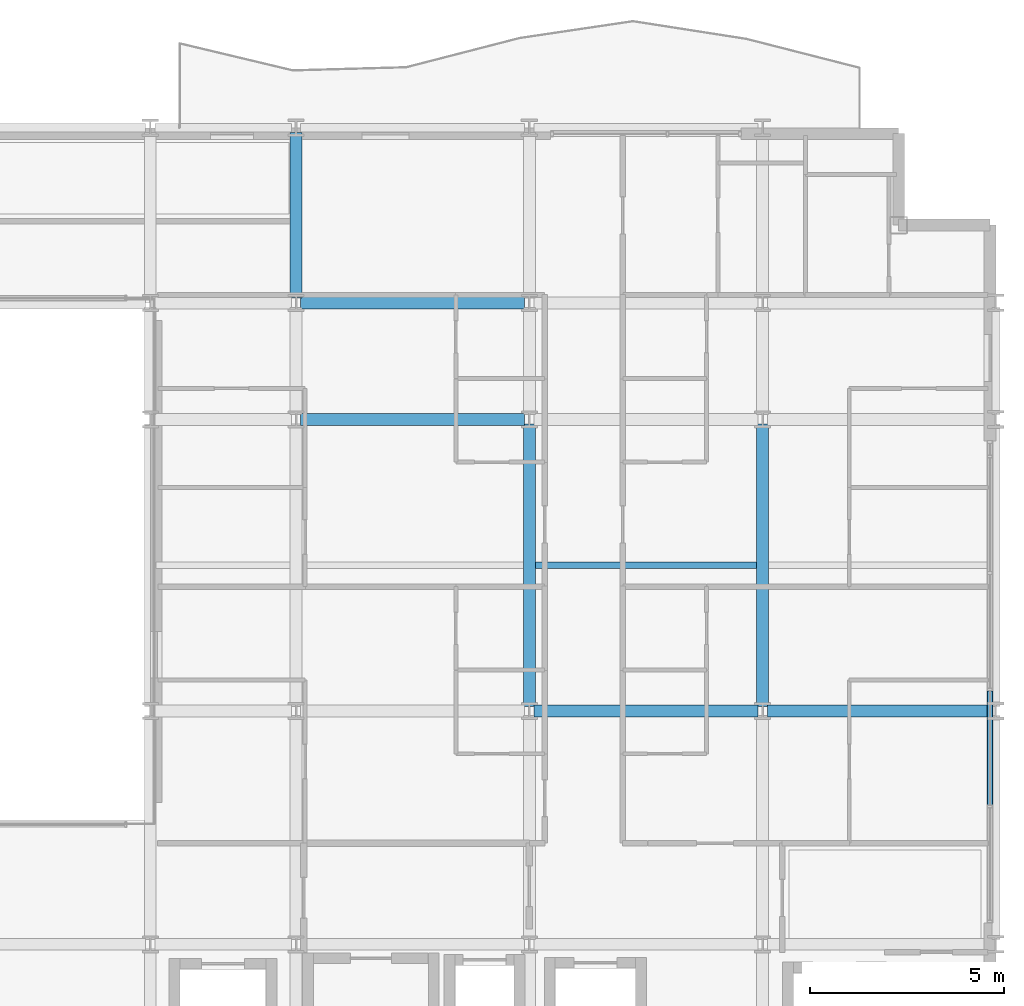
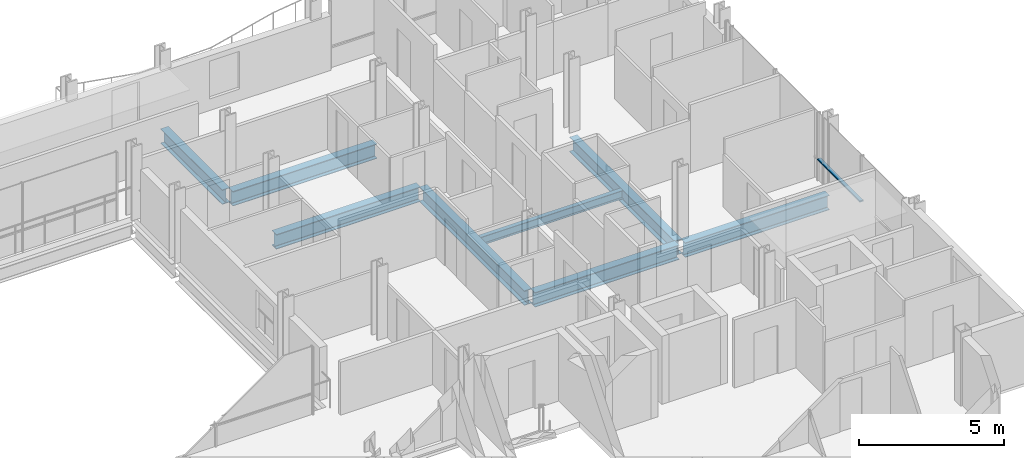
# One storey, part 18 of 40: 8 beams, 1 member, 1 element without a shape of its own.
"""IFC4 building model written with IfcOpenShell, lengths in metres."""

from ifc_helpers import new_model, si_unit, direction, frame, origin, origin_2d, place, context, subcontext, project, spatial, hollow_rectangle, i_section, extrude, material, layer, layer_set, material_profile, profile_set, type_object, element, aggregate, save


model = new_model("IFC4")

# Units and contexts
model_context = context("Model", 3, precision=1e-05, world=origin(), true_north=direction((0.0, 1.0)))
body_context = subcontext(model_context, "Body", "Model", "MODEL_VIEW")
ifc_project = project(units=[si_unit("LENGTHUNIT", "METRE"), si_unit("AREAUNIT", "SQUARE_METRE"), si_unit("VOLUMEUNIT", "CUBIC_METRE"), si_unit("PLANEANGLEUNIT", "RADIAN"), si_unit("MASSUNIT", "GRAM", prefix="KILO")], contexts=[model_context])

# Site, building, storey
site_placement = place(None, origin())
site = spatial("IfcSite", under=ifc_project, at=site_placement, CompositionType="ELEMENT")
building_placement = place(site_placement, origin())
building = spatial("IfcBuilding", under=site, at=building_placement, Name="Brevholm Reach", CompositionType="ELEMENT")
storey_placement = place(building_placement, frame((0.0, 0.0, 80.699951171875)))
storey = spatial("IfcBuildingStorey", under=building, at=storey_placement, Name="L23", CompositionType="ELEMENT", Elevation=80.699951171875)

# Beams
ifc_material_1 = material(Name="Structural Steel S355J2", Category="steel")
ifc_material_profile_1 = material_profile(ifc_material_1, i_section(OverallWidth=0.17138671875, OverallDepth=0.35498046875, WebThickness=0.00732421875, FlangeThickness=0.011474609375, FilletRadius=0.01025390625, at=origin_2d()), Name="UKB 356x171x51")
ifc_profile_set_1 = profile_set([ifc_material_profile_1], Name="Structural Steel S355J2")
beam_type_1 = type_object("IfcBeamType", Name="BM-B356", PredefinedType="BEAM", material=ifc_profile_set_1)
beam_1_placement = place(storey_placement, frame((48.153564453125, 19.75, -0.407470703125), z_axis=(1.0, 0.0, 0.0), x_axis=(0.0, 1.0, 0.0)))
element("IfcBeam", 1, at=beam_1_placement, inside=storey, type_object=beam_type_1, Name="L23 Composite Secondary Floor Beam", PredefinedType="BEAM", context=body_context, shape_type="SweptSolid", body=[
    extrude(i_section(OverallWidth=0.17138671875, OverallDepth=0.35498046875, WebThickness=0.00732421875, FlangeThickness=0.011474609375, FilletRadius=0.01025390625, at=origin_2d()), origin(), (0.0, 0.0, 1.0), 5.69287109375),
])
ifc_material_2 = material(Name="Structural Steel S355J2", Category="steel")
ifc_material_profile_2 = material_profile(ifc_material_2, i_section(OverallWidth=0.30712890625, OverallDepth=0.6201171875, WebThickness=0.01416015625, FlangeThickness=0.023681640625, FilletRadius=0.0166015625, at=origin_2d()), Name="UKB 610x305x179")
ifc_profile_set_2 = profile_set([ifc_material_profile_2], Name="Structural Steel S355J2")
beam_type_2 = type_object("IfcBeamType", Name="BM-UKB610H", PredefinedType="USERDEFINED", material=ifc_profile_set_2)
for number, where, z_axis, x_axis, name in (
    (2, (48.1201171875, 16.0, -0.5400390625), (1.0, 0.0, 0.0), (0.0, 1.0, 0.0), "L23 G-06 Framing Beam"),
    (3, (54.1201171875, 16.0, -0.5400390625), (1.0, 0.0, 0.0), (0.0, 1.0, 0.0), "L23 G-06 Framing Beam"),
    (4, (42.1201171875, 23.5, -0.5400390625), (1.0, 0.0, 0.0), (0.0, 1.0, 0.0), "L23 G-06 Framing Beam"),
    (5, (42.1201171875, 26.5, -0.5400390625), (1.0, 0.0, 0.0), (0.0, 1.0, 0.0), "L23 G-06 Framing Beam"),
):
    element("IfcBeam", number, at=place(storey_placement, frame(where, z_axis=z_axis, x_axis=x_axis)), inside=storey, type_object=beam_type_2, Name=name, ObjectType="GIRDER", PredefinedType="USERDEFINED", context=body_context, shape_type="SweptSolid", body=[
        extrude(i_section(OverallWidth=0.30712890625, OverallDepth=0.6201171875, WebThickness=0.01416015625, FlangeThickness=0.023681640625, FilletRadius=0.0166015625, at=origin_2d()), origin(), (0.0, 0.0, 1.0), 5.759765625),
    ])
beam_2_placement = place(storey_placement, frame((42.0, 26.6201171875, -0.5400390625), z_axis=(0.0, 1.0, 0.0), x_axis=(-1.0, 0.0, 0.0)))
element("IfcBeam", 6, at=beam_2_placement, inside=storey, type_object=beam_type_2, Name="L23 G-06 Framing Beam", ObjectType="GIRDER", PredefinedType="USERDEFINED", context=body_context, shape_type="SweptSolid", body=[
    extrude(i_section(OverallWidth=0.30712890625, OverallDepth=0.6201171875, WebThickness=0.01416015625, FlangeThickness=0.023681640625, FilletRadius=0.0166015625, at=origin_2d()), origin(), (0.0, 0.0, 1.0), 4.259765625),
])
for number, where, z_axis, x_axis, name in (
    (7, (48.0, 16.1201171875, -0.5400390625), (0.0, 1.0, 0.0), (-1.0, 0.0, 0.0), "L23 G-06 Framing Beam"),
    (8, (54.0, 16.1201171875, -0.5400390625), (0.0, 1.0, 0.0), (-1.0, 0.0, 0.0), "L23 G-06 Framing Beam"),
):
    element("IfcBeam", number, at=place(storey_placement, frame(where, z_axis=z_axis, x_axis=x_axis)), inside=storey, type_object=beam_type_2, Name=name, ObjectType="GIRDER", PredefinedType="USERDEFINED", context=body_context, shape_type="SweptSolid", body=[
        extrude(i_section(OverallWidth=0.30712890625, OverallDepth=0.6201171875, WebThickness=0.01416015625, FlangeThickness=0.023681640625, FilletRadius=0.0166015625, at=origin_2d()), origin(), (0.0, 0.0, 1.0), 7.259765625),
    ])

# Curtain wall, member
ifc_material_3 = material(Name="Dark Anodised Aluminium 6063-T6 and Solar-Control Glass", Category="aluminium")
ifc_layer = layer(ifc_material_3, 0.14990234375)
ifc_layer_set = layer_set([ifc_layer], Name="Dark Anodised Aluminium 6063-T6 and Solar-Control Glass")
curtain_wall_type = type_object("IfcCurtainWallType", Name="CW-01", PredefinedType="NOTDEFINED", material=ifc_layer_set)
curtain_wall_placement = place(storey_placement, origin())
curtain_wall = element("IfcCurtainWall", 9, at=curtain_wall_placement, inside=storey, type_object=curtain_wall_type, Name="L23 Curtain Wall CW-01", PredefinedType="NOTDEFINED")
ifc_material_4 = material(Name="Dark Anodised Aluminium 6063-T6", Category="aluminium")
ifc_material_profile_3 = material_profile(ifc_material_4, hollow_rectangle(XDim=0.06494140625, YDim=0.14990234375, WallThickness=0.0048828125, InnerFilletRadius=0.0048828125, OuterFilletRadius=0.010009765625, at=origin_2d()), Name="RHS 150x65x5")
ifc_profile_set_3 = profile_set([ifc_material_profile_3], Name="Dark Anodised Aluminium 6063-T6")
member_type = type_object("IfcMemberType", Name="CWT-150", PredefinedType="NOTDEFINED", material=ifc_profile_set_3)
member_placement = place(storey_placement, frame((59.85009765625, 13.58251953125, 0.900146484375), z_axis=(0.0, 1.0, 0.0), x_axis=(0.0, 0.0, 1.0)))
member = element("IfcMember", 10, at=member_placement, type_object=member_type, Name="CT-150 Transom 2.1", ObjectType="TRANSOM", PredefinedType="USERDEFINED", context=body_context, shape_type="SweptSolid", body=[
    extrude(hollow_rectangle(XDim=0.06494140625, YDim=0.14990234375, WallThickness=0.0048828125, InnerFilletRadius=0.0048828125, OuterFilletRadius=0.010009765625, at=origin_2d()), origin(), (0.0, 0.0, 1.0), 2.93505859375),
])
aggregate(curtain_wall, [member])

save(model, "model.ifc")
